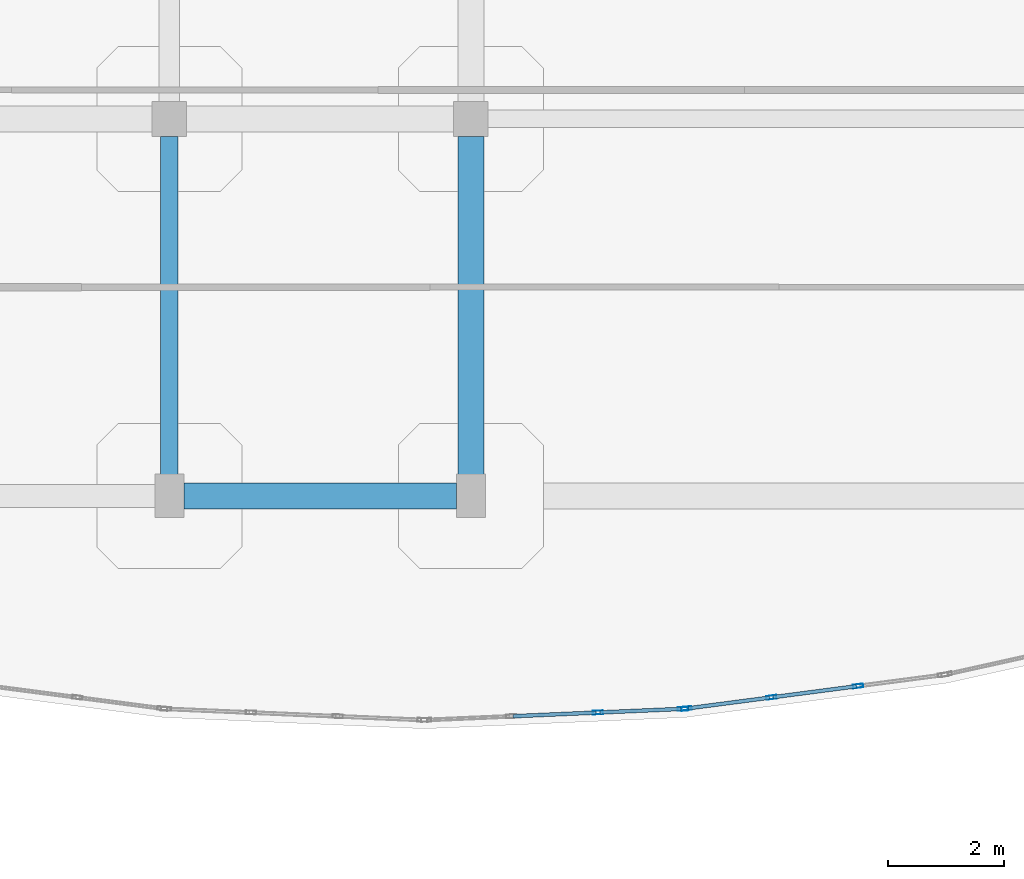
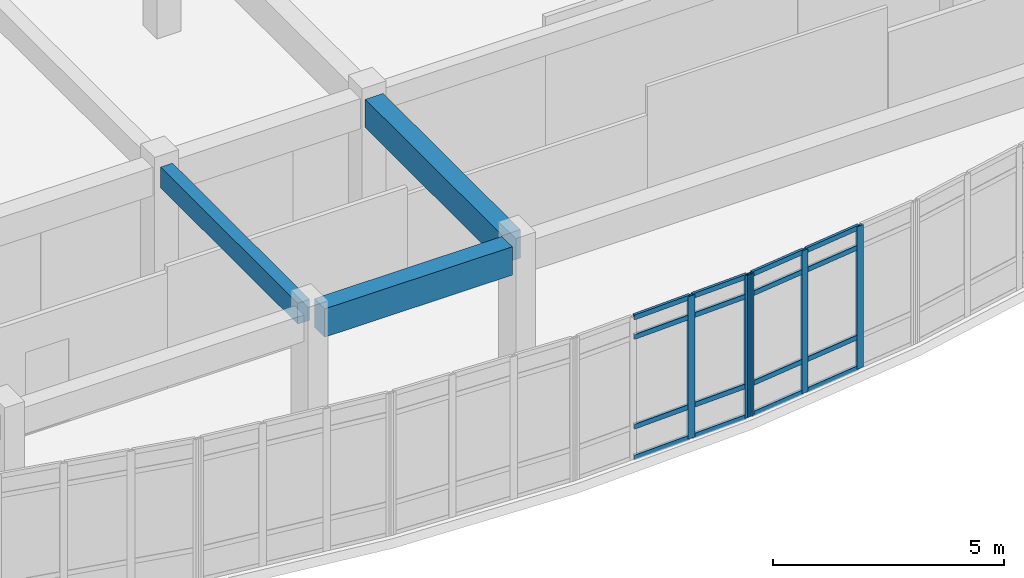
# One storey, part 54 of 91: 21 members, 3 beams, 2 elements without a shape of their own.
"""IFC4 building model written with IfcOpenShell, lengths in metres."""

from ifc_helpers import new_model, si_unit, direction, frame, origin, origin_2d, place, context, subcontext, project, spatial, rectangle, hollow_rectangle, extrude, material, layer, layer_set, material_profile, profile_set, type_object, element, aggregate, save


model = new_model("IFC4")

# Units and contexts
model_context = context("Model", 3, precision=1e-05, world=origin(), true_north=direction((0.0, 1.0)))
body_context = subcontext(model_context, "Body", "Model", "MODEL_VIEW")
ifc_project = project(units=[si_unit("LENGTHUNIT", "METRE"), si_unit("AREAUNIT", "SQUARE_METRE"), si_unit("VOLUMEUNIT", "CUBIC_METRE"), si_unit("PLANEANGLEUNIT", "RADIAN"), si_unit("MASSUNIT", "GRAM", prefix="KILO")], contexts=[model_context])

# Site, building, storey
site_placement = place(None, origin())
site = spatial("IfcSite", under=ifc_project, at=site_placement, CompositionType="ELEMENT")
building_placement = place(site_placement, origin())
building = spatial("IfcBuilding", under=site, at=building_placement, Name="Valcora Specialist Clinic", CompositionType="ELEMENT")
storey_placement = place(building_placement, frame((0.0, 0.0, 13.60009765625)))
storey = spatial("IfcBuildingStorey", under=building, at=storey_placement, Name="L03", CompositionType="ELEMENT", Elevation=13.60009765625)

# Beams
ifc_material_1 = material(Name="Concrete C40/50", Category="concrete")
ifc_material_profile_1 = material_profile(ifc_material_1, rectangle(XDim=0.300048828125, YDim=0.550048828125, at=origin_2d()), Name="RC-BM-300X550")
ifc_profile_set_1 = profile_set([ifc_material_profile_1], Name="Concrete C40/50")
beam_type_1 = type_object("IfcBeamType", Name="TY-BM-RC300X550", PredefinedType="BEAM", material=ifc_profile_set_1)
beam_1_placement = place(storey_placement, frame((106.0, 75.050048828125, 3.5), z_axis=(0.0, 1.0, 0.0), x_axis=(-1.0, 0.0, 0.0)))
element("IfcBeam", 1, at=beam_1_placement, inside=storey, type_object=beam_type_1, Name="Beam BM-L03-0821", PredefinedType="BEAM", context=body_context, shape_type="SweptSolid", body=[
    extrude(rectangle(XDim=0.300048828125, YDim=0.550048828125, at=origin_2d()), origin(), (0.0, 0.0, 1.0), 5.949951171875),
])
ifc_material_profile_2 = material_profile(ifc_material_1, rectangle(XDim=0.449951171875, YDim=0.75, at=origin_2d()), Name="RC-BM-450X750")
ifc_profile_set_2 = profile_set([ifc_material_profile_2], Name="Concrete C40/50")
beam_type_2 = type_object("IfcBeamType", Name="TY-BM-RC450X750", PredefinedType="BEAM", material=ifc_profile_set_2)
beam_2_placement = place(storey_placement, frame((106.25, 74.800048828125, 3.39990234375), z_axis=(1.0, 0.0, 0.0), x_axis=(0.0, 1.0, 0.0)))
element("IfcBeam", 2, at=beam_2_placement, inside=storey, type_object=beam_type_2, Name="Beam BM-L03-0773", PredefinedType="BEAM", context=body_context, shape_type="SweptSolid", body=[
    extrude(rectangle(XDim=0.449951171875, YDim=0.75, at=origin_2d()), origin(), (0.0, 0.0, 1.0), 4.699951171875),
])
beam_3_placement = place(storey_placement, frame((111.199951171875, 75.050048828125, 3.39990234375), z_axis=(0.0, 1.0, 0.0), x_axis=(-1.0, 0.0, 0.0)))
element("IfcBeam", 3, at=beam_3_placement, inside=storey, type_object=beam_type_2, Name="Beam BM-L03-0825", PredefinedType="BEAM", context=body_context, shape_type="SweptSolid", body=[
    extrude(rectangle(XDim=0.449951171875, YDim=0.75, at=origin_2d()), origin(), (0.0, 0.0, 1.0), 5.949951171875),
])

# Curtain wall, members
ifc_material_2 = material(Name="Anodized Bronze Aluminium 6063-T6", Category="aluminium")
ifc_layer = layer(ifc_material_2, 0.175048828125)
ifc_layer_set = layer_set([ifc_layer], Name="Anodized Bronze Aluminium 6063-T6")
curtain_wall_type = type_object("IfcCurtainWallType", Name="TY-CW-ARC40", PredefinedType="NOTDEFINED", material=ifc_layer_set)
curtain_wall_1_placement = place(storey_placement, origin())
curtain_wall_1 = element("IfcCurtainWall", 4, at=curtain_wall_1_placement, inside=storey, type_object=curtain_wall_type, Name="Curtain wall CW-L03-119", PredefinedType="NOTDEFINED")
ifc_material_profile_3 = material_profile(ifc_material_2, hollow_rectangle(XDim=0.06494140625, YDim=0.175048828125, WallThickness=0.00390625, at=origin_2d()), Name="AL-MUL-65X175")
ifc_profile_set_3 = profile_set([ifc_material_profile_3], Name="Anodized Bronze Aluminium 6063-T6")
member_type_1 = type_object("IfcMemberType", Name="TY-CWM-65X175", PredefinedType="MULLION", material=ifc_profile_set_3)
member_1_placement = place(storey_placement, frame((117.87841796875, 71.521728515625, 0.0), z_axis=(0.0, 0.0, 1.0), x_axis=(0.129999492259, -0.991514060421, 0.0)))
member_1 = element("IfcMember", 5, at=member_1_placement, type_object=member_type_1, Name="CW-ARC-40 mullion 2", PredefinedType="MULLION", context=body_context, shape_type="SweptSolid", body=[
    extrude(hollow_rectangle(XDim=0.06494140625, YDim=0.175048828125, WallThickness=0.00390625, at=origin_2d()), origin(), (0.0, 0.0, 1.0), 3.77490234375),
])
member_2_placement = place(storey_placement, frame((116.382568359375, 71.32568359375, 0.0), z_axis=(0.0, 0.0, 1.0), x_axis=(0.129999492259, -0.991514060421, 0.0)))
member_2 = element("IfcMember", 6, at=member_2_placement, type_object=member_type_1, Name="CW-ARC-40 mullion 3", PredefinedType="MULLION", context=body_context, shape_type="SweptSolid", body=[
    extrude(hollow_rectangle(XDim=0.06494140625, YDim=0.175048828125, WallThickness=0.00390625, at=origin_2d()), origin(), (0.0, 0.0, 1.0), 3.77490234375),
])
member_3_placement = place(storey_placement, frame((114.919189453125, 71.1337890625, 0.0), z_axis=(0.0, 0.0, 1.0), x_axis=(0.129999492259, -0.991514060421, 0.0)))
member_3 = element("IfcMember", 7, at=member_3_placement, type_object=member_type_1, Name="CW-ARC-40 mullion 4", PredefinedType="MULLION", context=body_context, shape_type="SweptSolid", body=[
    extrude(hollow_rectangle(XDim=0.06494140625, YDim=0.175048828125, WallThickness=0.00390625, at=origin_2d()), origin(), (0.0, 0.0, 1.0), 3.77490234375),
])

curtain_wall_2_placement = place(storey_placement, origin())
curtain_wall_2 = element("IfcCurtainWall", 8, at=curtain_wall_2_placement, inside=storey, type_object=curtain_wall_type, Name="Curtain wall CW-L03-120", PredefinedType="NOTDEFINED")
member_4_placement = place(storey_placement, frame((114.8544921875, 71.128173828125, 0.0), z_axis=(0.0, 0.0, 1.0), x_axis=(0.043306780525, -0.999061821291, 0.0)))
member_4 = element("IfcMember", 9, at=member_4_placement, type_object=member_type_1, Name="CW-ARC-40 mullion 1", PredefinedType="MULLION", context=body_context, shape_type="SweptSolid", body=[
    extrude(hollow_rectangle(XDim=0.06494140625, YDim=0.175048828125, WallThickness=0.00390625, at=origin_2d()), origin(), (0.0, 0.0, 1.0), 3.77490234375),
])
member_5_placement = place(storey_placement, frame((113.391357421875, 71.064697265625, 0.0), z_axis=(0.0, 0.0, 1.0), x_axis=(0.043306780525, -0.999061821291, 0.0)))
member_5 = element("IfcMember", 10, at=member_5_placement, type_object=member_type_1, Name="CW-ARC-40 mullion 2", PredefinedType="MULLION", context=body_context, shape_type="SweptSolid", body=[
    extrude(hollow_rectangle(XDim=0.06494140625, YDim=0.175048828125, WallThickness=0.00390625, at=origin_2d()), origin(), (0.0, 0.0, 1.0), 3.77490234375),
])

# Member
ifc_material_profile_4 = material_profile(ifc_material_2, hollow_rectangle(XDim=0.06494140625, YDim=0.1298828125, WallThickness=0.00390625, at=origin_2d()), Name="AL-TRN-65X130")
ifc_profile_set_4 = profile_set([ifc_material_profile_4], Name="Anodized Bronze Aluminium 6063-T6")
member_type_2 = type_object("IfcMemberType", Name="TY-CWT-65X130", PredefinedType="USERDEFINED", material=ifc_profile_set_4)
member_6_placement = place(storey_placement, frame((117.84619140625, 71.517578125, 0.032470703125), z_axis=(-0.991507743319, -0.130047664099, 0.0), x_axis=(0.130047664099, -0.991507743319, 0.0)))
member_6 = element("IfcMember", 11, at=member_6_placement, type_object=member_type_2, Name="CW-ARC-40 transom 2.1", ObjectType="TRANSOM", PredefinedType="USERDEFINED", context=body_context, shape_type="SweptSolid", body=[
    extrude(hollow_rectangle(XDim=0.06494140625, YDim=0.1298828125, WallThickness=0.00390625, at=origin_2d()), origin(), (0.0, 0.0, 1.0), 1.443603515625),
])

member_7_placement = place(storey_placement, frame((117.84619140625, 71.517578125, 0.849853515625), z_axis=(-0.991507743319, -0.130047664099, 0.0), x_axis=(0.130047664099, -0.991507743319, 0.0)))
member_7 = element("IfcMember", 12, at=member_7_placement, type_object=member_type_2, Name="CW-ARC-40 transom 2.2", ObjectType="TRANSOM", PredefinedType="USERDEFINED", context=body_context, shape_type="SweptSolid", body=[
    extrude(hollow_rectangle(XDim=0.06494140625, YDim=0.1298828125, WallThickness=0.00390625, at=origin_2d()), origin(), (0.0, 0.0, 1.0), 1.443603515625),
])

member_8_placement = place(storey_placement, frame((117.84619140625, 71.517578125, 3.224853515625), z_axis=(-0.991507743319, -0.130047664099, 0.0), x_axis=(0.130047664099, -0.991507743319, 0.0)))
member_8 = element("IfcMember", 13, at=member_8_placement, type_object=member_type_2, Name="CW-ARC-40 transom 2.3", ObjectType="TRANSOM", PredefinedType="USERDEFINED", context=body_context, shape_type="SweptSolid", body=[
    extrude(hollow_rectangle(XDim=0.06494140625, YDim=0.1298828125, WallThickness=0.00390625, at=origin_2d()), origin(), (0.0, 0.0, 1.0), 1.443603515625),
])

member_9_placement = place(storey_placement, frame((117.84619140625, 71.517578125, 3.742431640625), z_axis=(-0.991507743319, -0.130047664099, 0.0), x_axis=(0.130047664099, -0.991507743319, 0.0)))
member_9 = element("IfcMember", 14, at=member_9_placement, type_object=member_type_2, Name="CW-ARC-40 transom 2.4", ObjectType="TRANSOM", PredefinedType="USERDEFINED", context=body_context, shape_type="SweptSolid", body=[
    extrude(hollow_rectangle(XDim=0.06494140625, YDim=0.1298828125, WallThickness=0.00390625, at=origin_2d()), origin(), (0.0, 0.0, 1.0), 1.443603515625),
])

member_10_placement = place(storey_placement, frame((116.350341796875, 71.321533203125, 0.032470703125), z_axis=(-0.991497823208, -0.130123274529, 0.0), x_axis=(0.130123274529, -0.991497823208, 0.0)))
member_10 = element("IfcMember", 15, at=member_10_placement, type_object=member_type_2, Name="CW-ARC-40 transom 3.1", ObjectType="TRANSOM", PredefinedType="USERDEFINED", context=body_context, shape_type="SweptSolid", body=[
    extrude(hollow_rectangle(XDim=0.06494140625, YDim=0.1298828125, WallThickness=0.00390625, at=origin_2d()), origin(), (0.0, 0.0, 1.0), 1.410888671875),
])

member_11_placement = place(storey_placement, frame((116.350341796875, 71.321533203125, 0.849853515625), z_axis=(-0.991497823208, -0.130123274529, 0.0), x_axis=(0.130123274529, -0.991497823208, 0.0)))
member_11 = element("IfcMember", 16, at=member_11_placement, type_object=member_type_2, Name="CW-ARC-40 transom 3.2", ObjectType="TRANSOM", PredefinedType="USERDEFINED", context=body_context, shape_type="SweptSolid", body=[
    extrude(hollow_rectangle(XDim=0.06494140625, YDim=0.1298828125, WallThickness=0.00390625, at=origin_2d()), origin(), (0.0, 0.0, 1.0), 1.410888671875),
])

member_12_placement = place(storey_placement, frame((116.350341796875, 71.321533203125, 3.224853515625), z_axis=(-0.991497823208, -0.130123274529, 0.0), x_axis=(0.130123274529, -0.991497823208, 0.0)))
member_12 = element("IfcMember", 17, at=member_12_placement, type_object=member_type_2, Name="CW-ARC-40 transom 3.3", ObjectType="TRANSOM", PredefinedType="USERDEFINED", context=body_context, shape_type="SweptSolid", body=[
    extrude(hollow_rectangle(XDim=0.06494140625, YDim=0.1298828125, WallThickness=0.00390625, at=origin_2d()), origin(), (0.0, 0.0, 1.0), 1.410888671875),
])

member_13_placement = place(storey_placement, frame((116.350341796875, 71.321533203125, 3.742431640625), z_axis=(-0.991497823208, -0.130123274529, 0.0), x_axis=(0.130123274529, -0.991497823208, 0.0)))
member_13 = element("IfcMember", 18, at=member_13_placement, type_object=member_type_2, Name="CW-ARC-40 transom 3.4", ObjectType="TRANSOM", PredefinedType="USERDEFINED", context=body_context, shape_type="SweptSolid", body=[
    extrude(hollow_rectangle(XDim=0.06494140625, YDim=0.1298828125, WallThickness=0.00390625, at=origin_2d()), origin(), (0.0, 0.0, 1.0), 1.410888671875),
])

aggregate(curtain_wall_1, [member_1, member_2, member_3, member_6, member_7, member_8, member_9, member_10, member_11, member_12, member_13])

member_14_placement = place(storey_placement, frame((114.822021484375, 71.126708984375, 0.032470703125), z_axis=(-0.999063713567, -0.043263104761, 0.0), x_axis=(0.043263104761, -0.999063713567, 0.0)))
member_14 = element("IfcMember", 19, at=member_14_placement, type_object=member_type_2, Name="CW-ARC-40 transom 1.1", ObjectType="TRANSOM", PredefinedType="USERDEFINED", context=body_context, shape_type="SweptSolid", body=[
    extrude(hollow_rectangle(XDim=0.06494140625, YDim=0.1298828125, WallThickness=0.00390625, at=origin_2d()), origin(), (0.0, 0.0, 1.0), 1.3994140625),
])

member_15_placement = place(storey_placement, frame((114.822021484375, 71.126708984375, 0.849853515625), z_axis=(-0.999063713567, -0.043263104761, 0.0), x_axis=(0.043263104761, -0.999063713567, 0.0)))
member_15 = element("IfcMember", 20, at=member_15_placement, type_object=member_type_2, Name="CW-ARC-40 transom 1.2", ObjectType="TRANSOM", PredefinedType="USERDEFINED", context=body_context, shape_type="SweptSolid", body=[
    extrude(hollow_rectangle(XDim=0.06494140625, YDim=0.1298828125, WallThickness=0.00390625, at=origin_2d()), origin(), (0.0, 0.0, 1.0), 1.3994140625),
])

member_16_placement = place(storey_placement, frame((114.822021484375, 71.126708984375, 3.224853515625), z_axis=(-0.999063713567, -0.043263104761, 0.0), x_axis=(0.043263104761, -0.999063713567, 0.0)))
member_16 = element("IfcMember", 21, at=member_16_placement, type_object=member_type_2, Name="CW-ARC-40 transom 1.3", ObjectType="TRANSOM", PredefinedType="USERDEFINED", context=body_context, shape_type="SweptSolid", body=[
    extrude(hollow_rectangle(XDim=0.06494140625, YDim=0.1298828125, WallThickness=0.00390625, at=origin_2d()), origin(), (0.0, 0.0, 1.0), 1.3994140625),
])

member_17_placement = place(storey_placement, frame((114.822021484375, 71.126708984375, 3.742431640625), z_axis=(-0.999063713567, -0.043263104761, 0.0), x_axis=(0.043263104761, -0.999063713567, 0.0)))
member_17 = element("IfcMember", 22, at=member_17_placement, type_object=member_type_2, Name="CW-ARC-40 transom 1.4", ObjectType="TRANSOM", PredefinedType="USERDEFINED", context=body_context, shape_type="SweptSolid", body=[
    extrude(hollow_rectangle(XDim=0.06494140625, YDim=0.1298828125, WallThickness=0.00390625, at=origin_2d()), origin(), (0.0, 0.0, 1.0), 1.3994140625),
])

member_18_placement = place(storey_placement, frame((113.35888671875, 71.0634765625, 0.032470703125), z_axis=(-0.999054549301, -0.043474216736, 0.0), x_axis=(0.043474216736, -0.999054549301, 0.0)))
member_18 = element("IfcMember", 23, at=member_18_placement, type_object=member_type_2, Name="CW-ARC-40 transom 2.1", ObjectType="TRANSOM", PredefinedType="USERDEFINED", context=body_context, shape_type="SweptSolid", body=[
    extrude(hollow_rectangle(XDim=0.06494140625, YDim=0.1298828125, WallThickness=0.00390625, at=origin_2d()), origin(), (0.0, 0.0, 1.0), 1.43212890625),
])

member_19_placement = place(storey_placement, frame((113.35888671875, 71.0634765625, 0.849853515625), z_axis=(-0.999054549301, -0.043474216736, 0.0), x_axis=(0.043474216736, -0.999054549301, 0.0)))
member_19 = element("IfcMember", 24, at=member_19_placement, type_object=member_type_2, Name="CW-ARC-40 transom 2.2", ObjectType="TRANSOM", PredefinedType="USERDEFINED", context=body_context, shape_type="SweptSolid", body=[
    extrude(hollow_rectangle(XDim=0.06494140625, YDim=0.1298828125, WallThickness=0.00390625, at=origin_2d()), origin(), (0.0, 0.0, 1.0), 1.43212890625),
])

member_20_placement = place(storey_placement, frame((113.35888671875, 71.0634765625, 3.224853515625), z_axis=(-0.999054549301, -0.043474216736, 0.0), x_axis=(0.043474216736, -0.999054549301, 0.0)))
member_20 = element("IfcMember", 25, at=member_20_placement, type_object=member_type_2, Name="CW-ARC-40 transom 2.3", ObjectType="TRANSOM", PredefinedType="USERDEFINED", context=body_context, shape_type="SweptSolid", body=[
    extrude(hollow_rectangle(XDim=0.06494140625, YDim=0.1298828125, WallThickness=0.00390625, at=origin_2d()), origin(), (0.0, 0.0, 1.0), 1.43212890625),
])

member_21_placement = place(storey_placement, frame((113.35888671875, 71.0634765625, 3.742431640625), z_axis=(-0.999054549301, -0.043474216736, 0.0), x_axis=(0.043474216736, -0.999054549301, 0.0)))
member_21 = element("IfcMember", 26, at=member_21_placement, type_object=member_type_2, Name="CW-ARC-40 transom 2.4", ObjectType="TRANSOM", PredefinedType="USERDEFINED", context=body_context, shape_type="SweptSolid", body=[
    extrude(hollow_rectangle(XDim=0.06494140625, YDim=0.1298828125, WallThickness=0.00390625, at=origin_2d()), origin(), (0.0, 0.0, 1.0), 1.43212890625),
])

aggregate(curtain_wall_2, [member_4, member_5, member_14, member_15, member_16, member_17, member_18, member_19, member_20, member_21])

save(model, "model.ifc")
